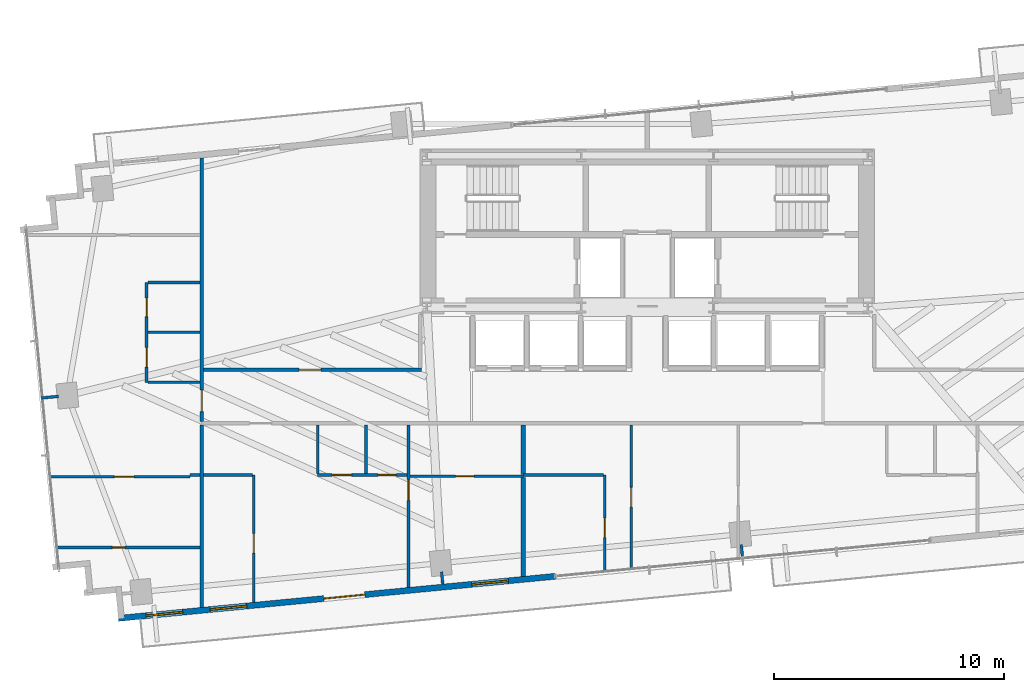
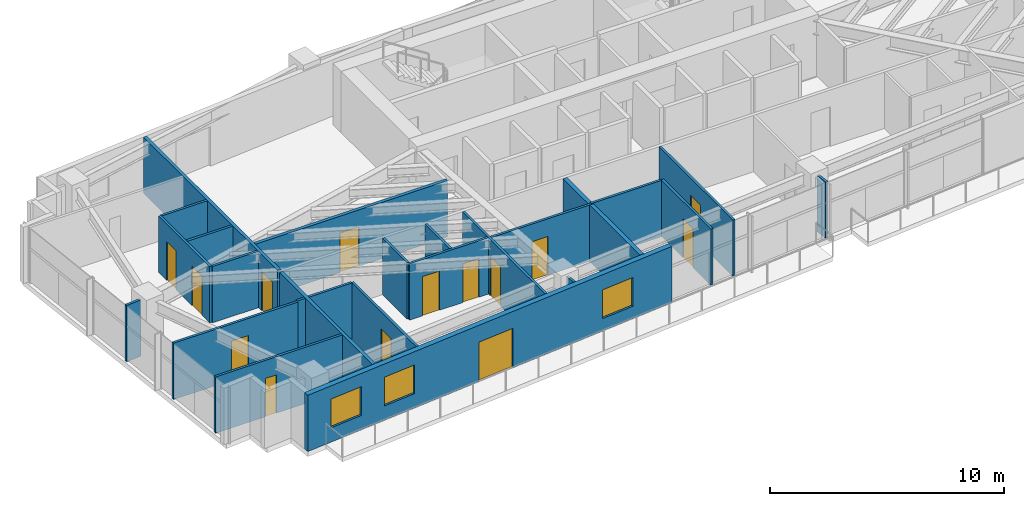
# One storey, part 19 of 25: 26 walls, 14 doors, 3 windows, 17 openings.
"""IFC4 building model written with IfcOpenShell, lengths in metres."""

import ifcopenshell
import ifcopenshell.guid

model = None  # the IFC model being written
_history = None  # IfcOwnerHistory: only IFC2X3 demands one
_inside = {}  # id of a spatial element -> (the spatial element, [elements in it])
_under = {}  # id of a project, library or spatial element -> (it, [spatial elements below it])
_declared = {}  # id of a project -> (the project, [libraries it declares])
_typed = {}  # id of a type object -> (the type object, [elements of that type])
_made_of = {}  # id of a material, layer set ... -> (it, [elements and type objects made of it])


def new_model(schema):
    """Start an empty IFC model of exactly this schema.

    Asked for "IFC4X3", IfcOpenShell would pick the latest addendum, in which some entities
    have other attributes; the version numbers below select the first issue.
    IFC2X3 requires an IfcOwnerHistory on every rooted entity: one is made here for all.
    """
    global model, _history
    if schema == "IFC4X3":
        model = ifcopenshell.file(schema_version=(4, 3, 0, 0))
    else:
        model = ifcopenshell.file(schema=schema)
    _inside.clear()
    _under.clear()
    _declared.clear()
    _typed.clear()
    _made_of.clear()
    _history = None
    if model.schema == "IFC2X3":
        org = make("IfcOrganization", Name="unknown")
        user = make(
            "IfcPersonAndOrganization",
            ThePerson=make("IfcPerson", FamilyName="unknown"),
            TheOrganization=org,
        )
        app = make(
            "IfcApplication",
            ApplicationDeveloper=org,
            Version="unknown",
            ApplicationFullName="unknown",
            ApplicationIdentifier="unknown",
        )
        _history = make(
            "IfcOwnerHistory",
            OwningUser=user,
            OwningApplication=app,
            ChangeAction="ADDED",
            CreationDate=0,
        )
    return model


def make(cls, **values):
    """One entity of the class cls with the attributes given. An attribute that is None is left unset."""
    return model.create_entity(
        cls, **{name: value for name, value in values.items() if value is not None}
    )


def rooted(cls, **values):
    """An entity with a GlobalId (a new one), such as an element, a storey or a relation."""
    return make(cls, GlobalId=ifcopenshell.guid.new(), OwnerHistory=_history, **values)


def si_unit(unit_type, name, prefix=None):
    """IfcSIUnit, for example si_unit("LENGTHUNIT", "METRE", prefix="MILLI")."""
    return make("IfcSIUnit", UnitType=unit_type, Prefix=prefix, Name=name)


def assignment(units):
    """IfcUnitAssignment: the units of a project."""
    return None if units is None else make("IfcUnitAssignment", Units=units)


def point(xyz):
    """IfcCartesianPoint."""
    return None if xyz is None else make("IfcCartesianPoint", Coordinates=xyz)


def direction(xyz):
    """IfcDirection."""
    return None if xyz is None else make("IfcDirection", DirectionRatios=xyz)


def frame(location, z_axis=None, x_axis=None):
    """IfcAxis2Placement3D, a coordinate frame: its origin and axes. An axis left out is left unset."""
    return make(
        "IfcAxis2Placement3D",
        Location=point(location),
        Axis=direction(z_axis),
        RefDirection=direction(x_axis),
    )


def frame_2d(location, x_axis=None):
    """IfcAxis2Placement2D, a coordinate frame in the plane: its origin and x axis."""
    return make(
        "IfcAxis2Placement2D", Location=point(location), RefDirection=direction(x_axis)
    )


def origin():
    """The frame at (0, 0, 0) with its axes left unset."""
    return frame((0.0, 0.0, 0.0))


def place(relative_to, where):
    """IfcLocalPlacement: puts the frame where relative to a parent placement (None: the world)."""
    return make(
        "IfcLocalPlacement", PlacementRelTo=relative_to, RelativePlacement=where
    )


def context(
    kind, dimensions, precision=None, world=None, true_north=None, identifier=None
):
    """IfcGeometricRepresentationContext, for example the 3D "Model" context."""
    return make(
        "IfcGeometricRepresentationContext",
        ContextIdentifier=identifier,
        ContextType=kind,
        CoordinateSpaceDimension=dimensions,
        Precision=precision,
        WorldCoordinateSystem=world,
        TrueNorth=true_north,
    )


def subcontext(parent, identifier, kind, view, scale=None):
    """IfcGeometricRepresentationSubContext, for example "Body" below "Model"."""
    return make(
        "IfcGeometricRepresentationSubContext",
        ContextIdentifier=identifier,
        ContextType=kind,
        ParentContext=parent,
        TargetScale=scale,
        TargetView=view,
    )


def project(units=None, contexts=None):
    """IfcProject with its units and contexts."""
    return rooted(
        "IfcProject",
        Name="project",
        RepresentationContexts=contexts,
        UnitsInContext=assignment(units),
    )


def spatial(cls, under=None, at=None, **own):
    """A site, building, storey or space (cls), placed at a placement, below another one or the project."""
    s = rooted(cls, ObjectPlacement=at, **own)
    if under is not None:
        _under.setdefault(under.id(), (under, []))[1].append(s)
    return s


def profile(cls, at=None, kind="AREA", **sizes):
    """A parametric profile (cls). Its sizes go by their IFC names, for example OverallWidth=200.0."""
    return make(cls, ProfileType=kind, Position=at, **sizes)


def rectangle(**sizes):
    """IfcRectangleProfileDef."""
    return profile("IfcRectangleProfileDef", **sizes)


def extrude(swept, where, along, depth):
    """IfcExtrudedAreaSolid: the profile swept, set in the frame where, extruded along a direction by depth."""
    return make(
        "IfcExtrudedAreaSolid",
        SweptArea=swept,
        Position=where,
        ExtrudedDirection=direction(along),
        Depth=depth,
    )


def shape(context_of_items, identifier, shape_type, items):
    """IfcShapeRepresentation: the items that make up one representation, for example the "Body"."""
    return make(
        "IfcShapeRepresentation",
        ContextOfItems=context_of_items,
        RepresentationIdentifier=identifier,
        RepresentationType=shape_type,
        Items=items,
    )


def source(mapping_origin, context_of_items, identifier, shape_type, items):
    """IfcRepresentationMap: a shape defined once, which mapped items show again and again."""
    return make(
        "IfcRepresentationMap",
        MappingOrigin=mapping_origin,
        MappedRepresentation=shape(context_of_items, identifier, shape_type, items),
    )


def transform(
    local_origin,
    x_axis=None,
    y_axis=None,
    z_axis=None,
    scale=None,
    scale2=None,
    scale3=None,
    uniform=True,
):
    """IfcCartesianTransformationOperator3D, or its non-uniform kind. x_axis, y_axis, z_axis: its Axis1, 2, 3."""
    if uniform:
        return make(
            "IfcCartesianTransformationOperator3D",
            Axis1=direction(x_axis),
            Axis2=direction(y_axis),
            LocalOrigin=point(local_origin),
            Scale=scale,
            Axis3=direction(z_axis),
        )
    return make(
        "IfcCartesianTransformationOperator3DnonUniform",
        Axis1=direction(x_axis),
        Axis2=direction(y_axis),
        LocalOrigin=point(local_origin),
        Scale=scale,
        Axis3=direction(z_axis),
        Scale2=scale2,
        Scale3=scale3,
    )


def mapped(mapping_source, mapping_target):
    """IfcMappedItem: shows the shape of a source again, moved by a transform."""
    return make(
        "IfcMappedItem", MappingSource=mapping_source, MappingTarget=mapping_target
    )


def material(Name=None, Category=None):
    """IfcMaterial."""
    return make("IfcMaterial", Name=Name, Category=Category)


def layer(
    of_material, thickness, ventilated=None, Name=None, Category=None, Priority=None
):
    """IfcMaterialLayer: one layer of a wall or slab, of a material (None: an air gap)."""
    return make(
        "IfcMaterialLayer",
        Material=of_material,
        LayerThickness=thickness,
        IsVentilated=ventilated,
        Name=Name,
        Category=Category,
        Priority=Priority,
    )


def layer_set(layers, Name=None):
    """IfcMaterialLayerSet."""
    return make("IfcMaterialLayerSet", MaterialLayers=layers, LayerSetName=Name)


def made_of(thing, what):
    """Note that an element or type object is made of a material, layer set ...; save() writes the relation."""
    if what is not None:
        _made_of.setdefault(what.id(), (what, []))[1].append(thing)
    return thing


def type_object(cls, material=None, **own):
    """A type object (cls), such as IfcWallType, which elements share."""
    return made_of(rooted(cls, **own), material)


def type_shapes(of_type, sources):
    """Give a type object the sources (RepresentationMaps) that its elements show as mapped items."""
    of_type.RepresentationMaps = sources


def element(
    cls,
    number,
    at=None,
    inside=None,
    cuts=None,
    type_object=None,
    material=None,
    context=None,
    identifier="Body",
    shape_type=None,
    held_by="IfcProductDefinitionShape",
    body=None,
    shapes=None,
    **own,
):
    """One element of the class cls, such as IfcWall. Its Tag is "e" and its number.

    at: its placement. inside: the storey or other place that contains it. cuts: it is an
    opening in that element (IfcRelVoidsElement). A single representation is given by context,
    identifier, shape_type and body (its items); several are given by shapes. held_by: the class
    of the entity that holds the representations. save() writes the other relations.
    """
    e = rooted(cls, Tag="e%d" % number, ObjectPlacement=at, **own)
    if body is not None:
        shapes = [shape(context, identifier, shape_type, body)]
    if shapes is not None:
        e.Representation = make(held_by, Representations=shapes)
    if inside is not None:
        _inside.setdefault(inside.id(), (inside, []))[1].append(e)
    if cuts is not None:
        rooted(
            "IfcRelVoidsElement", RelatingBuildingElement=cuts, RelatedOpeningElement=e
        )
    if type_object is not None:
        _typed.setdefault(type_object.id(), (type_object, []))[1].append(e)
    return made_of(e, material)


def fill(opening, filler):
    """IfcRelFillsElement: the door or window that sits in an opening."""
    return rooted(
        "IfcRelFillsElement",
        RelatingOpeningElement=opening,
        RelatedBuildingElement=filler,
    )


def aggregate(whole, parts):
    """IfcRelAggregates: a whole, such as a stair, and the parts it consists of."""
    return rooted("IfcRelAggregates", RelatingObject=whole, RelatedObjects=parts)


def save(model, path):
    """Write the relations noted so far, then the file.

    IfcRelAggregates (storeys below a building ...), IfcRelContainedInSpatialStructure (elements
    in a storey), IfcRelDefinesByType, IfcRelAssociatesMaterial and IfcRelDeclares: one each for
    every whole, place, type object, material and project.
    """
    for whole, parts in _under.values():
        aggregate(whole, parts)
    for where, things in _inside.values():
        rooted(
            "IfcRelContainedInSpatialStructure",
            RelatedElements=things,
            RelatingStructure=where,
        )
    for kind, things in _typed.values():
        rooted("IfcRelDefinesByType", RelatedObjects=things, RelatingType=kind)
    for what, things in _made_of.values():
        rooted("IfcRelAssociatesMaterial", RelatedObjects=things, RelatingMaterial=what)
    for by, libraries in _declared.values():
        rooted("IfcRelDeclares", RelatingContext=by, RelatedDefinitions=libraries)
    model.write(path)


model = new_model("IFC4")

# Units and contexts
model_context = context("Model", 3, precision=1e-05, world=origin(), true_north=direction((0.0, 1.0)))
body_context = subcontext(model_context, "Body", "Model", "MODEL_VIEW")
ifc_project = project(units=[si_unit("LENGTHUNIT", "METRE"), si_unit("AREAUNIT", "SQUARE_METRE"), si_unit("VOLUMEUNIT", "CUBIC_METRE"), si_unit("PLANEANGLEUNIT", "RADIAN"), si_unit("MASSUNIT", "GRAM", prefix="KILO")], contexts=[model_context])

# Site, building, storey
site_placement = place(None, origin())
site = spatial("IfcSite", under=ifc_project, at=site_placement, CompositionType="ELEMENT")
building_placement = place(site_placement, origin())
building = spatial("IfcBuilding", under=site, at=building_placement, Name="Astriad Promenade Condominiums", CompositionType="ELEMENT")
storey_placement = place(building_placement, frame((0.0, 0.0, 81.0)))
storey = spatial("IfcBuildingStorey", under=building, at=storey_placement, Name="L22", CompositionType="ELEMENT", Elevation=81.0)

# Wall
ifc_material_1 = material(Name="Fire-Rated Gypsum Partition")
ifc_layer_1 = layer(ifc_material_1, 0.159912109375)
ifc_layer_set_1 = layer_set([ifc_layer_1], Name="Fire-Rated Gypsum Partition")
wall_type_1 = type_object("IfcWallType", Name="WALL-CORR-160", PredefinedType="PARTITIONING", material=ifc_layer_set_1)
wall_1_placement = place(storey_placement, frame((16.60009765625, 4.3408203125, 0.0), z_axis=(0.0, 0.0, 1.0), x_axis=(0.0, 1.0, 0.0)))
element("IfcWall", 1, at=wall_1_placement, inside=storey, type_object=wall_type_1, Name="PT-COR-W-L22", PredefinedType="PARTITIONING", context=body_context, shape_type="SweptSolid", body=[
    extrude(rectangle(XDim=7.92724609375, YDim=0.159912109375, at=frame_2d((3.963623046875, 0.0))), origin(), (0.0, 0.0, 1.0), 2.93994140625),
])

# Wall, opening, door
wall_2_placement = place(storey_placement, frame((16.60009765625, 12.431884765625, 0.0), z_axis=(0.0, 0.0, 1.0), x_axis=(0.0, 1.0, 0.0)))
wall_2 = element("IfcWall", 2, at=wall_2_placement, inside=storey, type_object=wall_type_1, Name="PT-COR-W-L22-S2", PredefinedType="PARTITIONING", context=body_context, shape_type="SweptSolid", body=[
    extrude(rectangle(XDim=11.47509765625, YDim=0.159912109375, at=frame_2d((5.737548828125, 0.0))), origin(), (0.0, 0.0, 1.0), 2.93994140625),
])
opening_1_placement = place(wall_2_placement, frame((0.428955078125, 0.0, 0.0)))
opening_1 = element("IfcOpeningElement", 3, at=opening_1_placement, cuts=wall_2, Name="Opening FD60-APT-095", PredefinedType="OPENING", context=body_context, shape_type="SweptSolid", body=[
    extrude(rectangle(XDim=0.949951171875, YDim=2.06005859375, at=frame_2d((0.47509765625, 1.030029296875))), frame((0.0, 0.08984375, 0.0), z_axis=(0.0, -1.0, 0.0), x_axis=(1.0, 0.0, 0.0)), (0.0, 0.0, 1.0), 0.179931640625),
])
ifc_material_2 = material(Name="Solid-Core Acoustic Timber Residence Entry Door", Category="wood")
door_type_1 = type_object("IfcDoorType", Name="FD60-APT-095", OperationType="NOTDEFINED", PredefinedType="DOOR", material=ifc_material_2)
shared_shape_1 = source(origin(), body_context, "Body", "SweptSolid", [
    extrude(rectangle(XDim=0.949951171875, YDim=2.06005859375, at=frame_2d((0.47509765625, 1.030029296875))), frame((0.0, 0.02490234375, 0.0), z_axis=(0.0, -1.0, 0.0), x_axis=(1.0, 0.0, 0.0)), (0.0, 0.0, 1.0), 0.050048828125),
])
type_shapes(door_type_1, [shared_shape_1])
door_1_placement = place(opening_1_placement, origin())
door_1 = element("IfcDoor", 4, at=door_1_placement, inside=storey, type_object=door_type_1, Name="D-ENT-L22-W1", OperationType="SINGLE_SWING_LEFT", OverallHeight=2.06005859375, OverallWidth=0.949951171875, PredefinedType="DOOR", context=body_context, shape_type="MappedRepresentation", body=[
    mapped(shared_shape_1, transform((0.0, 0.0, 0.0), scale=1.0)),
])
fill(opening_1, door_1)

wall_3_placement = place(storey_placement, frame((16.681884765625, 14.679931640625, 0.0), z_axis=(0.0, 0.0, 1.0), x_axis=(1.0, 0.0, 0.0)))
wall_3 = element("IfcWall", 5, at=wall_3_placement, inside=storey, type_object=wall_type_1, Name="PT-FLK-NW-L22", PredefinedType="PARTITIONING", context=body_context, shape_type="SweptSolid", body=[
    extrude(rectangle(XDim=9.47802734375, YDim=0.159912109375, at=frame_2d((4.739013671875, 0.0))), origin(), (0.0, 0.0, 1.0), 2.93994140625),
])
opening_2_placement = place(wall_3_placement, frame((4.1630859375, 0.0, 0.0)))
opening_2 = element("IfcOpeningElement", 6, at=opening_2_placement, cuts=wall_3, Name="Opening FD60-APT-095", PredefinedType="OPENING", context=body_context, shape_type="SweptSolid", body=[
    extrude(rectangle(XDim=0.949951171875, YDim=2.06005859375, at=frame_2d((0.47509765625, 1.030029296875))), frame((0.0, 0.08984375, 0.0), z_axis=(0.0, -1.0, 0.0), x_axis=(1.0, 0.0, 0.0)), (0.0, 0.0, 1.0), 0.179931640625),
])
door_2_placement = place(opening_2_placement, origin())
door_2 = element("IfcDoor", 7, at=door_2_placement, inside=storey, type_object=door_type_1, Name="D-NWA-L22", OperationType="SINGLE_SWING_LEFT", OverallHeight=2.06005859375, OverallWidth=0.949951171875, PredefinedType="DOOR", context=body_context, shape_type="MappedRepresentation", body=[
    mapped(shared_shape_1, transform((0.0, 0.0, 0.0), scale=1.0)),
])
fill(opening_2, door_2)

# Walls
ifc_material_3 = material(Name="Acoustic Double-Stud Gypsum Partition")
ifc_layer_2 = layer(ifc_material_3, 0.199951171875)
ifc_layer_set_2 = layer_set([ifc_layer_2], Name="Acoustic Double-Stud Gypsum Partition")
wall_type_2 = type_object("IfcWallType", Name="WALL-DEMISING-200", PredefinedType="PARTITIONING", material=ifc_layer_set_2)
wall_4_placement = place(storey_placement, frame((30.60107421875, 5.68896484375, 0.0), z_axis=(0.0, 0.0, 1.0), x_axis=(0.0, 1.0, 0.0)))
element("IfcWall", 8, at=wall_4_placement, inside=storey, type_object=wall_type_2, Name="PT-DEM-S1-L22", PredefinedType="PARTITIONING", context=body_context, shape_type="SweptSolid", body=[
    extrude(rectangle(XDim=4.299072265625, YDim=0.199951171875, at=frame_2d((2.1494140625, 0.0))), origin(), (0.0, 0.0, 1.0), 2.93994140625),
])
wall_5_placement = place(storey_placement, frame((30.60107421875, 10.112060546875, 0.0), z_axis=(0.0, 0.0, 1.0), x_axis=(0.0, 1.0, 0.0)))
element("IfcWall", 9, at=wall_5_placement, inside=storey, type_object=wall_type_2, Name="PT-DEM-S1-L22-S2", PredefinedType="PARTITIONING", context=body_context, shape_type="SweptSolid", body=[
    extrude(rectangle(XDim=2.156005859375, YDim=0.199951171875, at=frame_2d((1.078125, 0.0))), origin(), (0.0, 0.0, 1.0), 2.93994140625),
])

# Wall, openings, door, windows
ifc_material_4 = material(Name="Precast concrete C50/60", Category="concrete")
ifc_layer_3 = layer(ifc_material_4, 0.260009765625)
ifc_layer_set_3 = layer_set([ifc_layer_3], Name="Precast concrete C50/60")
wall_type_3 = type_object("IfcWallType", Name="WALL-EXT-TWR-260", PredefinedType="STANDARD", material=ifc_layer_set_3)
wall_6_placement = place(storey_placement, frame((31.99365234375, 5.6904296875, 0.0), z_axis=(0.0, 0.0, 1.0), x_axis=(-0.995396521236, -0.095842399342, 0.0)))
wall_6 = element("IfcWall", 10, at=wall_6_placement, inside=storey, type_object=wall_type_3, Name="W-EXT-L22-S2", PredefinedType="STANDARD", context=body_context, shape_type="SweptSolid", body=[
    extrude(rectangle(XDim=19.10986328125, YDim=0.260009765625, at=frame_2d((9.554931640625, 0.0))), origin(), (0.0, 0.0, 1.0), 2.93994140625),
])
opening_3_placement = place(wall_6_placement, frame((8.330078125, 0.0, 0.0)))
opening_3 = element("IfcOpeningElement", 11, at=opening_3_placement, cuts=wall_6, Name="Opening BD-1822-SLD", PredefinedType="OPENING", context=body_context, shape_type="SweptSolid", body=[
    extrude(rectangle(XDim=1.800048828125, YDim=2.06005859375, at=frame_2d((0.89990234375, 1.030029296875))), frame((0.0, 0.139892578125, 0.0), z_axis=(0.0, -1.0, 0.0), x_axis=(1.0, 0.0, 0.0)), (0.0, 0.0, 1.0), 0.280029296875),
])
opening_4_placement = place(wall_6_placement, frame((2.050048828125, 0.0, 0.64990234375)))
opening_4 = element("IfcOpeningElement", 12, at=opening_4_placement, cuts=wall_6, Name="Opening WIN-TWR-1620", PredefinedType="OPENING", context=body_context, shape_type="SweptSolid", body=[
    extrude(rectangle(XDim=1.60009765625, YDim=1.5, at=frame_2d((0.800048828125, 0.75))), frame((0.0, 0.139892578125, 0.0), z_axis=(0.0, -1.0, 0.0), x_axis=(1.0, 0.0, 0.0)), (0.0, 0.0, 1.0), 0.280029296875),
])
opening_5_placement = place(wall_6_placement, frame((13.4990234375, 0.0, 0.75)))
opening_5 = element("IfcOpeningElement", 13, at=opening_5_placement, cuts=wall_6, Name="Opening WIN-TWR-1620", PredefinedType="OPENING", context=body_context, shape_type="SweptSolid", body=[
    extrude(rectangle(XDim=1.60009765625, YDim=1.5, at=frame_2d((0.800048828125, 0.75))), frame((0.0, 0.139892578125, 0.0), z_axis=(0.0, -1.0, 0.0), x_axis=(1.0, 0.0, 0.0)), (0.0, 0.0, 1.0), 0.280029296875),
])
opening_6_placement = place(wall_6_placement, frame((16.299072265625, 0.0, 0.75)))
opening_6 = element("IfcOpeningElement", 14, at=opening_6_placement, cuts=wall_6, Name="Opening WIN-TWR-1620", PredefinedType="OPENING", context=body_context, shape_type="SweptSolid", body=[
    extrude(rectangle(XDim=1.60009765625, YDim=1.5, at=frame_2d((0.800048828125, 0.75))), frame((0.0, 0.139892578125, 0.0), z_axis=(0.0, -1.0, 0.0), x_axis=(1.0, 0.0, 0.0)), (0.0, 0.0, 1.0), 0.280029296875),
])
ifc_material_5 = material(Name="Thermally Broken Aluminium Sliding Balcony Door", Category="aluminium")
door_type_2 = type_object("IfcDoorType", Name="BD-1822-SLD", OperationType="NOTDEFINED", PredefinedType="DOOR", material=ifc_material_5)
shared_shape_2 = source(origin(), body_context, "Body", "SweptSolid", [
    extrude(rectangle(XDim=1.800048828125, YDim=2.06005859375, at=frame_2d((0.89990234375, 1.030029296875))), frame((0.0, 0.02490234375, 0.0), z_axis=(0.0, -1.0, 0.0), x_axis=(1.0, 0.0, 0.0)), (0.0, 0.0, 1.0), 0.050048828125),
])
type_shapes(door_type_2, [shared_shape_2])
door_3_placement = place(opening_3_placement, origin())
door_3 = element("IfcDoor", 15, at=door_3_placement, inside=storey, type_object=door_type_2, Name="BD-L22-SW", OperationType="SLIDING_TO_LEFT", OverallHeight=2.06005859375, OverallWidth=1.800048828125, PredefinedType="DOOR", context=body_context, shape_type="MappedRepresentation", body=[
    mapped(shared_shape_2, transform((0.0, 0.0, 0.0), scale=1.0)),
])
fill(opening_3, door_3)
ifc_material_6 = material(Name="Dark Tinted Triple-Glazed Aluminium Window", Category="aluminium")
window_type = type_object("IfcWindowType", Name="WIN-TWR-1620", PartitioningType="SINGLE_PANEL", PredefinedType="WINDOW", material=ifc_material_6)
shared_shape_3 = source(origin(), body_context, "Body", "SweptSolid", [
    extrude(rectangle(XDim=1.60009765625, YDim=1.5, at=frame_2d((0.800048828125, 0.75))), frame((0.0, 0.030029296875, 0.0), z_axis=(0.0, -1.0, 0.0), x_axis=(1.0, 0.0, 0.0)), (0.0, 0.0, 1.0), 0.06005859375),
])
type_shapes(window_type, [shared_shape_3])
window_1_placement = place(opening_4_placement, origin())
window_1 = element("IfcWindow", 16, at=window_1_placement, inside=storey, type_object=window_type, Name="WIN-L22-SW", OverallHeight=1.5, OverallWidth=1.60009765625, PartitioningType="SINGLE_PANEL", PredefinedType="WINDOW", context=body_context, shape_type="MappedRepresentation", body=[
    mapped(shared_shape_3, transform((0.0, 0.0, 0.0), scale=1.0)),
])
fill(opening_4, window_1)
window_2_placement = place(opening_5_placement, origin())
window_2 = element("IfcWindow", 17, at=window_2_placement, inside=storey, type_object=window_type, Name="WIN-DW-L22-S1-EX", OverallHeight=1.5, OverallWidth=1.60009765625, PartitioningType="SINGLE_PANEL", PredefinedType="WINDOW", context=body_context, shape_type="MappedRepresentation", body=[
    mapped(shared_shape_3, transform((0.0, 0.0, 0.0), scale=1.0)),
])
fill(opening_5, window_2)
window_3_placement = place(opening_6_placement, origin())
window_3 = element("IfcWindow", 18, at=window_3_placement, inside=storey, type_object=window_type, Name="WIN-DW-L22-W1-BD2", OverallHeight=1.5, OverallWidth=1.60009765625, PartitioningType="SINGLE_PANEL", PredefinedType="WINDOW", context=body_context, shape_type="MappedRepresentation", body=[
    mapped(shared_shape_3, transform((0.0, 0.0, 0.0), scale=1.0)),
])
fill(opening_6, window_3)

# Wall, opening, door
ifc_material_7 = material(Name="Acoustic Metal-Stud Gypsum Partition")
ifc_layer_4 = layer(ifc_material_7, 0.1201171875)
ifc_layer_set_4 = layer_set([ifc_layer_4], Name="Acoustic Metal-Stud Gypsum Partition")
wall_type_4 = type_object("IfcWallType", Name="WALL-PART-120", PredefinedType="PARTITIONING", material=ifc_layer_set_4)
wall_7_placement = place(storey_placement, frame((25.60107421875, 5.20751953125, 0.0), z_axis=(0.0, 0.0, 1.0), x_axis=(0.0, 1.0, 0.0)))
wall_7 = element("IfcWall", 19, at=wall_7_placement, inside=storey, type_object=wall_type_4, Name="PT-L22-S1-BD1", PredefinedType="PARTITIONING", context=body_context, shape_type="SweptSolid", body=[
    extrude(rectangle(XDim=7.060546875, YDim=0.1201171875, at=frame_2d((3.5302734375, 0.0))), origin(), (0.0, 0.0, 1.0), 2.93994140625),
])
opening_7_placement = place(wall_7_placement, frame((3.79248046875, 0.0, 0.0)))
opening_7 = element("IfcOpeningElement", 20, at=opening_7_placement, cuts=wall_7, Name="Opening D-INT-090", PredefinedType="OPENING", context=body_context, shape_type="SweptSolid", body=[
    extrude(rectangle(XDim=0.89990234375, YDim=2.050048828125, at=frame_2d((0.449951171875, 1.02490234375))), frame((0.0, 0.070068359375, 0.0), z_axis=(0.0, -1.0, 0.0), x_axis=(1.0, 0.0, 0.0)), (0.0, 0.0, 1.0), 0.14013671875),
])
ifc_material_8 = material(Name="Painted Solid-Core Timber Bedroom Door", Category="wood")
door_type_3 = type_object("IfcDoorType", Name="D-INT-090", OperationType="NOTDEFINED", PredefinedType="DOOR", material=ifc_material_8)
shared_shape_4 = source(origin(), body_context, "Body", "SweptSolid", [
    extrude(rectangle(XDim=0.89990234375, YDim=2.050048828125, at=frame_2d((0.449951171875, 1.02490234375))), frame((0.0, 0.02490234375, 0.0), z_axis=(0.0, -1.0, 0.0), x_axis=(1.0, 0.0, 0.0)), (0.0, 0.0, 1.0), 0.050048828125),
])
type_shapes(door_type_3, [shared_shape_4])
door_4_placement = place(opening_7_placement, origin())
door_4 = element("IfcDoor", 21, at=door_4_placement, inside=storey, type_object=door_type_3, Name="D-BD1-L22-S1", OperationType="SINGLE_SWING_LEFT", OverallHeight=2.050048828125, OverallWidth=0.89990234375, PredefinedType="DOOR", context=body_context, shape_type="MappedRepresentation", body=[
    mapped(shared_shape_4, transform((0.0, 0.0, 0.0), scale=1.0)),
])
fill(opening_7, door_4)

# Wall, openings, doors
wall_8_placement = place(storey_placement, frame((21.65087890625, 10.10009765625, 0.0), z_axis=(0.0, 0.0, 1.0), x_axis=(1.0, 0.0, 0.0)))
wall_8 = element("IfcWall", 22, at=wall_8_placement, inside=storey, type_object=wall_type_4, Name="PT-L22-S1-PS", PredefinedType="PARTITIONING", context=body_context, shape_type="SweptSolid", body=[
    extrude(rectangle(XDim=3.88818359375, YDim=0.1201171875, at=frame_2d((1.944091796875, 0.0))), origin(), (0.0, 0.0, 1.0), 2.93994140625),
])
opening_8_placement = place(wall_8_placement, frame((0.625, 0.0, 0.0)))
opening_8 = element("IfcOpeningElement", 23, at=opening_8_placement, cuts=wall_8, Name="Opening D-INT-085", PredefinedType="OPENING", context=body_context, shape_type="SweptSolid", body=[
    extrude(rectangle(XDim=0.85009765625, YDim=2.050048828125, at=frame_2d((0.425048828125, 1.02490234375))), frame((0.0, 0.070068359375, 0.0), z_axis=(0.0, -1.0, 0.0), x_axis=(1.0, 0.0, 0.0)), (0.0, 0.0, 1.0), 0.14013671875),
])
opening_9_placement = place(wall_8_placement, frame((2.625, 0.0, 0.0)))
opening_9 = element("IfcOpeningElement", 24, at=opening_9_placement, cuts=wall_8, Name="Opening D-WET-080", PredefinedType="OPENING", context=body_context, shape_type="SweptSolid", body=[
    extrude(rectangle(XDim=0.800048828125, YDim=2.02001953125, at=frame_2d((0.39990234375, 1.010009765625))), frame((0.0, 0.070068359375, 0.0), z_axis=(0.0, -1.0, 0.0), x_axis=(1.0, 0.0, 0.0)), (0.0, 0.0, 1.0), 0.14013671875),
])
ifc_material_9 = material(Name="Moisture-Resistant Timber Bathroom Door", Category="wood")
door_type_4 = type_object("IfcDoorType", Name="D-WET-080", OperationType="NOTDEFINED", PredefinedType="DOOR", material=ifc_material_9)
shared_shape_5 = source(origin(), body_context, "Body", "SweptSolid", [
    extrude(rectangle(XDim=0.800048828125, YDim=2.02001953125, at=frame_2d((0.39990234375, 1.010009765625))), frame((0.0, 0.02490234375, 0.0), z_axis=(0.0, -1.0, 0.0), x_axis=(1.0, 0.0, 0.0)), (0.0, 0.0, 1.0), 0.050048828125),
])
type_shapes(door_type_4, [shared_shape_5])
door_5_placement = place(opening_9_placement, origin())
door_5 = element("IfcDoor", 25, at=door_5_placement, inside=storey, type_object=door_type_4, Name="D-BTH-L22-S1", OperationType="SINGLE_SWING_LEFT", OverallHeight=2.02001953125, OverallWidth=0.800048828125, PredefinedType="DOOR", context=body_context, shape_type="MappedRepresentation", body=[
    mapped(shared_shape_5, transform((0.0, 0.0, 0.0), scale=1.0)),
])
fill(opening_9, door_5)
ifc_material_10 = material(Name="Painted Solid-Core Timber Room Door", Category="wood")
door_type_5 = type_object("IfcDoorType", Name="D-INT-085", OperationType="NOTDEFINED", PredefinedType="DOOR", material=ifc_material_10)
shared_shape_6 = source(origin(), body_context, "Body", "SweptSolid", [
    extrude(rectangle(XDim=0.85009765625, YDim=2.050048828125, at=frame_2d((0.425048828125, 1.02490234375))), frame((0.0, 0.02490234375, 0.0), z_axis=(0.0, -1.0, 0.0), x_axis=(1.0, 0.0, 0.0)), (0.0, 0.0, 1.0), 0.050048828125),
])
type_shapes(door_type_5, [shared_shape_6])
door_6_placement = place(opening_8_placement, origin())
door_6 = element("IfcDoor", 26, at=door_6_placement, inside=storey, type_object=door_type_5, Name="D-KIT-L22-S1", OperationType="SINGLE_SWING_RIGHT", OverallHeight=2.050048828125, OverallWidth=0.85009765625, PredefinedType="DOOR", context=body_context, shape_type="MappedRepresentation", body=[
    mapped(shared_shape_6, transform((0.0, 0.0, 0.0), scale=1.0)),
])
fill(opening_8, door_6)

# Walls
for number, where, z_axis, x_axis, name in (
    (27, (23.7509765625, 10.162109375, 0.0), (0.0, 0.0, 1.0), (0.0, 1.0, 0.0), "PT-L22-S1-PBK"),
    (28, (21.65087890625, 10.162109375, 0.0), (0.0, 0.0, 1.0), (0.0, 1.0, 0.0), "PT-L22-S1-PKW"),
):
    element("IfcWall", number, at=place(storey_placement, frame(where, z_axis=z_axis, x_axis=x_axis)), inside=storey, type_object=wall_type_4, Name=name, PredefinedType="PARTITIONING", context=body_context, shape_type="SweptSolid", body=[
        extrude(rectangle(XDim=2.10595703125, YDim=0.1201171875, at=frame_2d((1.052978515625, 0.0))), origin(), (0.0, 0.0, 1.0), 2.93994140625),
    ])

# Wall, opening, door
wall_9_placement = place(storey_placement, frame((25.6630859375, 10.050048828125, 0.0), z_axis=(0.0, 0.0, 1.0), x_axis=(1.0, 0.0, 0.0)))
wall_9 = element("IfcWall", 29, at=wall_9_placement, inside=storey, type_object=wall_type_4, Name="PT-L22-S1-ENS", PredefinedType="PARTITIONING", context=body_context, shape_type="SweptSolid", body=[
    extrude(rectangle(XDim=4.93798828125, YDim=0.1201171875, at=frame_2d((2.468994140625, 0.0))), origin(), (0.0, 0.0, 1.0), 2.93994140625),
])
opening_10_placement = place(wall_9_placement, frame((1.988037109375, 0.0, 0.0)))
opening_10 = element("IfcOpeningElement", 30, at=opening_10_placement, cuts=wall_9, Name="Opening D-WET-080", PredefinedType="OPENING", context=body_context, shape_type="SweptSolid", body=[
    extrude(rectangle(XDim=0.800048828125, YDim=2.02001953125, at=frame_2d((0.39990234375, 1.010009765625))), frame((0.0, 0.070068359375, 0.0), z_axis=(0.0, -1.0, 0.0), x_axis=(1.0, 0.0, 0.0)), (0.0, 0.0, 1.0), 0.14013671875),
])
door_7_placement = place(opening_10_placement, origin())
door_7 = element("IfcDoor", 31, at=door_7_placement, inside=storey, type_object=door_type_4, Name="D-ENS-L22-S1", OperationType="SINGLE_SWING_RIGHT", OverallHeight=2.02001953125, OverallWidth=0.800048828125, PredefinedType="DOOR", context=body_context, shape_type="MappedRepresentation", body=[
    mapped(shared_shape_5, transform((0.0, 0.0, 0.0), scale=1.0)),
])
fill(opening_10, door_7)

wall_10_placement = place(storey_placement, frame((18.866943359375, 4.55908203125, 0.0), z_axis=(0.0, 0.0, 1.0), x_axis=(0.0, 1.0, 0.0)))
wall_10 = element("IfcWall", 32, at=wall_10_placement, inside=storey, type_object=wall_type_4, Name="PT-L22-S1-EXV", PredefinedType="PARTITIONING", context=body_context, shape_type="SweptSolid", body=[
    extrude(rectangle(XDim=5.541015625, YDim=0.1201171875, at=frame_2d((2.7705078125, 0.0))), origin(), (0.0, 0.0, 1.0), 2.93994140625),
])
opening_11_placement = place(wall_10_placement, frame((2.138916015625, 0.0, 0.0)))
opening_11 = element("IfcOpeningElement", 33, at=opening_11_placement, cuts=wall_10, Name="Opening D-INT-085", PredefinedType="OPENING", context=body_context, shape_type="SweptSolid", body=[
    extrude(rectangle(XDim=0.85009765625, YDim=2.050048828125, at=frame_2d((0.425048828125, 1.02490234375))), frame((0.0, 0.070068359375, 0.0), z_axis=(0.0, -1.0, 0.0), x_axis=(1.0, 0.0, 0.0)), (0.0, 0.0, 1.0), 0.14013671875),
])
door_8_placement = place(opening_11_placement, origin())
door_8 = element("IfcDoor", 34, at=door_8_placement, inside=storey, type_object=door_type_5, Name="D-EX-L22-S1", OperationType="SINGLE_SWING_LEFT", OverallHeight=2.050048828125, OverallWidth=0.85009765625, PredefinedType="DOOR", context=body_context, shape_type="MappedRepresentation", body=[
    mapped(shared_shape_6, transform((0.0, 0.0, 0.0), scale=1.0)),
])
fill(opening_11, door_8)

# Walls
wall_11_placement = place(storey_placement, frame((16.10009765625, 10.10009765625, 0.0), z_axis=(0.0, 0.0, 1.0), x_axis=(1.0, 0.0, 0.0)))
element("IfcWall", 35, at=wall_11_placement, inside=storey, type_object=wall_type_4, Name="PT-L22-S1-EXH", PredefinedType="PARTITIONING", context=body_context, shape_type="SweptSolid", body=[
    extrude(rectangle(XDim=0.41796875, YDim=0.1201171875, at=frame_2d((0.208984375, 0.0))), origin(), (0.0, 0.0, 1.0), 2.93994140625),
])
wall_12_placement = place(storey_placement, frame((16.681884765625, 10.10009765625, 0.0), z_axis=(0.0, 0.0, 1.0), x_axis=(1.0, 0.0, 0.0)))
element("IfcWall", 36, at=wall_12_placement, inside=storey, type_object=wall_type_4, Name="PT-L22-S1-EXH-S2", PredefinedType="PARTITIONING", context=body_context, shape_type="SweptSolid", body=[
    extrude(rectangle(XDim=2.123046875, YDim=0.1201171875, at=frame_2d((1.0615234375, 0.0))), origin(), (0.0, 0.0, 1.0), 2.93994140625),
])

# Wall, opening, door
wall_13_placement = place(storey_placement, frame((34.15087890625, 5.847900390625, 0.0), z_axis=(0.0, 0.0, 1.0), x_axis=(0.0, 1.0, 0.0)))
wall_13 = element("IfcWall", 37, at=wall_13_placement, inside=storey, type_object=wall_type_4, Name="PT-L22-S2-EXV", PredefinedType="PARTITIONING", context=body_context, shape_type="SweptSolid", body=[
    extrude(rectangle(XDim=4.252197265625, YDim=0.1201171875, at=frame_2d((2.1259765625, 0.0))), origin(), (0.0, 0.0, 1.0), 2.93994140625),
])
opening_12_placement = place(wall_13_placement, frame((1.525146484375, 0.0, 0.0)))
opening_12 = element("IfcOpeningElement", 38, at=opening_12_placement, cuts=wall_13, Name="Opening D-INT-085", PredefinedType="OPENING", context=body_context, shape_type="SweptSolid", body=[
    extrude(rectangle(XDim=0.85009765625, YDim=2.050048828125, at=frame_2d((0.425048828125, 1.02490234375))), frame((0.0, 0.070068359375, 0.0), z_axis=(0.0, -1.0, 0.0), x_axis=(1.0, 0.0, 0.0)), (0.0, 0.0, 1.0), 0.14013671875),
])
door_9_placement = place(opening_12_placement, origin())
door_9 = element("IfcDoor", 39, at=door_9_placement, inside=storey, type_object=door_type_5, Name="D-EX-L22-S2", OperationType="SINGLE_SWING_RIGHT", OverallHeight=2.050048828125, OverallWidth=0.85009765625, PredefinedType="DOOR", context=body_context, shape_type="MappedRepresentation", body=[
    mapped(shared_shape_6, transform((0.0, 0.0, 0.0), scale=1.0)),
])
fill(opening_12, door_9)

# Wall
wall_14_placement = place(storey_placement, frame((30.60107421875, 10.10009765625, 0.0), z_axis=(0.0, 0.0, 1.0), x_axis=(1.0, 0.0, 0.0)))
element("IfcWall", 40, at=wall_14_placement, inside=storey, type_object=wall_type_4, Name="PT-L22-S2-EXH", PredefinedType="PARTITIONING", context=body_context, shape_type="SweptSolid", body=[
    extrude(rectangle(XDim=3.488037109375, YDim=0.1201171875, at=frame_2d((1.744140625, 0.0))), origin(), (0.0, 0.0, 1.0), 2.93994140625),
])

# Wall, opening, door
wall_15_placement = place(storey_placement, frame((35.301025390625, 5.95849609375, 0.0), z_axis=(0.0, 0.0, 1.0), x_axis=(0.0, 1.0, 0.0)))
wall_15 = element("IfcWall", 41, at=wall_15_placement, inside=storey, type_object=wall_type_4, Name="PT-L22-S2-CAP1", PredefinedType="PARTITIONING", context=body_context, shape_type="SweptSolid", body=[
    extrude(rectangle(XDim=6.3095703125, YDim=0.1201171875, at=frame_2d((3.15478515625, 0.0))), origin(), (0.0, 0.0, 1.0), 2.93994140625),
])
opening_13_placement = place(wall_15_placement, frame((2.75830078125, 0.0, 0.0)))
opening_13 = element("IfcOpeningElement", 42, at=opening_13_placement, cuts=wall_15, Name="Opening D-INT-085", PredefinedType="OPENING", context=body_context, shape_type="SweptSolid", body=[
    extrude(rectangle(XDim=0.85009765625, YDim=2.050048828125, at=frame_2d((0.425048828125, 1.02490234375))), frame((0.0, 0.070068359375, 0.0), z_axis=(0.0, -1.0, 0.0), x_axis=(1.0, 0.0, 0.0)), (0.0, 0.0, 1.0), 0.14013671875),
])
door_10_placement = place(opening_13_placement, origin())
door_10 = element("IfcDoor", 43, at=door_10_placement, inside=storey, type_object=door_type_5, Name="D-CAP1-L22-S2", OperationType="SINGLE_SWING_LEFT", OverallHeight=2.050048828125, OverallWidth=0.85009765625, PredefinedType="DOOR", context=body_context, shape_type="MappedRepresentation", body=[
    mapped(shared_shape_6, transform((0.0, 0.0, 0.0), scale=1.0)),
])
fill(opening_13, door_10)

# Wall, openings, doors
wall_16_placement = place(storey_placement, frame((14.199951171875, 14.135986328125, 0.0), z_axis=(0.0, 0.0, 1.0), x_axis=(0.0, 1.0, 0.0)))
wall_16 = element("IfcWall", 44, at=wall_16_placement, inside=storey, type_object=wall_type_4, Name="PT-L22-W1-PV", PredefinedType="PARTITIONING", context=body_context, shape_type="SweptSolid", body=[
    extrude(rectangle(XDim=4.35009765625, YDim=0.1201171875, at=frame_2d((2.175048828125, 0.0))), origin(), (0.0, 0.0, 1.0), 2.93994140625),
])
opening_14_placement = place(wall_16_placement, frame((0.662109375, 0.0, 0.0)))
opening_14 = element("IfcOpeningElement", 45, at=opening_14_placement, cuts=wall_16, Name="Opening D-INT-085", PredefinedType="OPENING", context=body_context, shape_type="SweptSolid", body=[
    extrude(rectangle(XDim=0.85009765625, YDim=2.050048828125, at=frame_2d((0.425048828125, 1.02490234375))), frame((0.0, 0.070068359375, 0.0), z_axis=(0.0, -1.0, 0.0), x_axis=(1.0, 0.0, 0.0)), (0.0, 0.0, 1.0), 0.14013671875),
])
opening_15_placement = place(wall_16_placement, frame((2.862060546875, 0.0, 0.0)))
opening_15 = element("IfcOpeningElement", 46, at=opening_15_placement, cuts=wall_16, Name="Opening D-WET-080", PredefinedType="OPENING", context=body_context, shape_type="SweptSolid", body=[
    extrude(rectangle(XDim=0.800048828125, YDim=2.02001953125, at=frame_2d((0.39990234375, 1.010009765625))), frame((0.0, 0.070068359375, 0.0), z_axis=(0.0, -1.0, 0.0), x_axis=(1.0, 0.0, 0.0)), (0.0, 0.0, 1.0), 0.14013671875),
])
door_11_placement = place(opening_15_placement, origin())
door_11 = element("IfcDoor", 47, at=door_11_placement, inside=storey, type_object=door_type_4, Name="D-BTH-L22-W1", OperationType="SINGLE_SWING_LEFT", OverallHeight=2.02001953125, OverallWidth=0.800048828125, PredefinedType="DOOR", context=body_context, shape_type="MappedRepresentation", body=[
    mapped(shared_shape_5, transform((0.0, 0.0, 0.0), scale=1.0)),
])
fill(opening_15, door_11)
door_12_placement = place(opening_14_placement, origin())
door_12 = element("IfcDoor", 48, at=door_12_placement, inside=storey, type_object=door_type_5, Name="D-KIT-L22-W1", OperationType="SINGLE_SWING_RIGHT", OverallHeight=2.050048828125, OverallWidth=0.85009765625, PredefinedType="DOOR", context=body_context, shape_type="MappedRepresentation", body=[
    mapped(shared_shape_6, transform((0.0, 0.0, 0.0), scale=1.0)),
])
fill(opening_14, door_12)

# Walls
for number, where, z_axis, x_axis, name in (
    (49, (14.261962890625, 16.31103515625, 0.0), (0.0, 0.0, 1.0), (1.0, 0.0, 0.0), "PT-L22-W1-PM"),
    (50, (14.261962890625, 14.135986328125, 0.0), (0.0, 0.0, 1.0), (1.0, 0.0, 0.0), "PT-L22-W1-PS"),
    (51, (14.261962890625, 18.486083984375, 0.0), (0.0, 0.0, 1.0), (1.0, 0.0, 0.0), "PT-L22-W1-PN"),
):
    element("IfcWall", number, at=place(storey_placement, frame(where, z_axis=z_axis, x_axis=x_axis)), inside=storey, type_object=wall_type_4, Name=name, PredefinedType="PARTITIONING", context=body_context, shape_type="SweptSolid", body=[
        extrude(rectangle(XDim=2.256103515625, YDim=0.1201171875, at=frame_2d((1.1279296875, 0.0))), origin(), (0.0, 0.0, 1.0), 2.93994140625),
    ])

# Wall, opening, door
wall_17_placement = place(storey_placement, frame((10.243408203125, 6.945068359375, 0.0), z_axis=(0.0, 0.0, 1.0), x_axis=(1.0, 0.0, 0.0)))
wall_17 = element("IfcWall", 52, at=wall_17_placement, inside=storey, type_object=wall_type_4, Name="PT-L22-W1-B2", PredefinedType="PARTITIONING", context=body_context, shape_type="SweptSolid", body=[
    extrude(rectangle(XDim=6.274658203125, YDim=0.1201171875, at=frame_2d((3.13720703125, 0.0))), origin(), (0.0, 0.0, 1.0), 2.93994140625),
])
opening_16_placement = place(wall_17_placement, frame((2.4658203125, 0.0, 0.0)))
opening_16 = element("IfcOpeningElement", 53, at=opening_16_placement, cuts=wall_17, Name="Opening D-AC-055", PredefinedType="OPENING", context=body_context, shape_type="SweptSolid", body=[
    extrude(rectangle(XDim=0.550048828125, YDim=2.0, at=frame_2d((0.27490234375, 1.0))), frame((0.0, 0.070068359375, 0.0), z_axis=(0.0, -1.0, 0.0), x_axis=(1.0, 0.0, 0.0)), (0.0, 0.0, 1.0), 0.14013671875),
])
ifc_material_11 = material(Name="Painted Timber Access Door", Category="wood")
door_type_6 = type_object("IfcDoorType", Name="D-AC-055", OperationType="NOTDEFINED", PredefinedType="DOOR", material=ifc_material_11)
shared_shape_7 = source(origin(), body_context, "Body", "SweptSolid", [
    extrude(rectangle(XDim=0.550048828125, YDim=2.0, at=frame_2d((0.27490234375, 1.0))), frame((0.0, 0.02490234375, 0.0), z_axis=(0.0, -1.0, 0.0), x_axis=(1.0, 0.0, 0.0)), (0.0, 0.0, 1.0), 0.050048828125),
])
type_shapes(door_type_6, [shared_shape_7])
door_13_placement = place(opening_16_placement, origin())
door_13 = element("IfcDoor", 54, at=door_13_placement, inside=storey, type_object=door_type_6, Name="D-BD2-L22-W1", OperationType="SINGLE_SWING_LEFT", OverallHeight=2.0, OverallWidth=0.550048828125, PredefinedType="DOOR", context=body_context, shape_type="MappedRepresentation", body=[
    mapped(shared_shape_7, transform((0.0, 0.0, 0.0), scale=1.0)),
])
fill(opening_16, door_13)

wall_18_placement = place(storey_placement, frame((9.947265625, 10.02001953125, 0.0), z_axis=(0.0, 0.0, 1.0), x_axis=(1.0, 0.0, 0.0)))
wall_18 = element("IfcWall", 55, at=wall_18_placement, inside=storey, type_object=wall_type_4, Name="PT-L22-W1-WDS1", PredefinedType="PARTITIONING", context=body_context, shape_type="SweptSolid", body=[
    extrude(rectangle(XDim=6.15283203125, YDim=0.1201171875, at=frame_2d((3.076416015625, 0.0))), origin(), (0.0, 0.0, 1.0), 2.93994140625),
])
opening_17_placement = place(wall_18_placement, frame((2.853759765625, 0.0, 0.0)))
opening_17 = element("IfcOpeningElement", 56, at=opening_17_placement, cuts=wall_18, Name="Opening D-INT-085", PredefinedType="OPENING", context=body_context, shape_type="SweptSolid", body=[
    extrude(rectangle(XDim=0.85009765625, YDim=2.050048828125, at=frame_2d((0.425048828125, 1.02490234375))), frame((0.0, 0.070068359375, 0.0), z_axis=(0.0, -1.0, 0.0), x_axis=(1.0, 0.0, 0.0)), (0.0, 0.0, 1.0), 0.14013671875),
])
door_14_placement = place(opening_17_placement, origin())
door_14 = element("IfcDoor", 57, at=door_14_placement, inside=storey, type_object=door_type_5, Name="D-WDS1-L22-W1", OperationType="SINGLE_SWING_RIGHT", OverallHeight=2.050048828125, OverallWidth=0.85009765625, PredefinedType="DOOR", context=body_context, shape_type="MappedRepresentation", body=[
    mapped(shared_shape_6, transform((0.0, 0.0, 0.0), scale=1.0)),
])
fill(opening_17, door_14)

# Walls
wall_19_placement = place(storey_placement, frame((27.0419921875, 5.88671875, 0.0), z_axis=(0.0, 0.0, 1.0), x_axis=(0.096222656154, -0.995359834654, 0.0)))
element("IfcWall", 58, at=wall_19_placement, inside=storey, type_object=wall_type_4, Name="PT-PIL-L22-PC02-9", PredefinedType="PARTITIONING", context=body_context, shape_type="SweptSolid", body=[
    extrude(rectangle(XDim=0.537841796875, YDim=0.1201171875, at=frame_2d((0.26904296875, 0.0))), origin(), (0.0, 0.0, 1.0), 2.93994140625),
])
wall_20_placement = place(storey_placement, frame((40.089111328125, 7.0673828125, 0.0), z_axis=(0.0, 0.0, 1.0), x_axis=(0.095791766065, -0.995401395194, 0.0)))
element("IfcWall", 59, at=wall_20_placement, inside=storey, type_object=wall_type_4, Name="PT-PIL-L22-PC03-10", PredefinedType="PARTITIONING", context=body_context, shape_type="SweptSolid", body=[
    extrude(rectangle(XDim=0.644775390625, YDim=0.1201171875, at=frame_2d((0.322265625, 0.0))), origin(), (0.0, 0.0, 1.0), 2.93994140625),
])
wall_21_placement = place(storey_placement, frame((10.373291015625, 13.5244140625, 0.0), z_axis=(0.0, 0.0, 1.0), x_axis=(-0.995377786728, -0.096036772582, 0.0)))
element("IfcWall", 60, at=wall_21_placement, inside=storey, type_object=wall_type_4, Name="PT-PIL-L22-PC11-18", PredefinedType="PARTITIONING", context=body_context, shape_type="SweptSolid", body=[
    extrude(rectangle(XDim=0.760009765625, YDim=0.1201171875, at=frame_2d((0.3798828125, 0.0))), origin(), (0.0, 0.0, 1.0), 2.93994140625),
])

save(model, "model.ifc")
